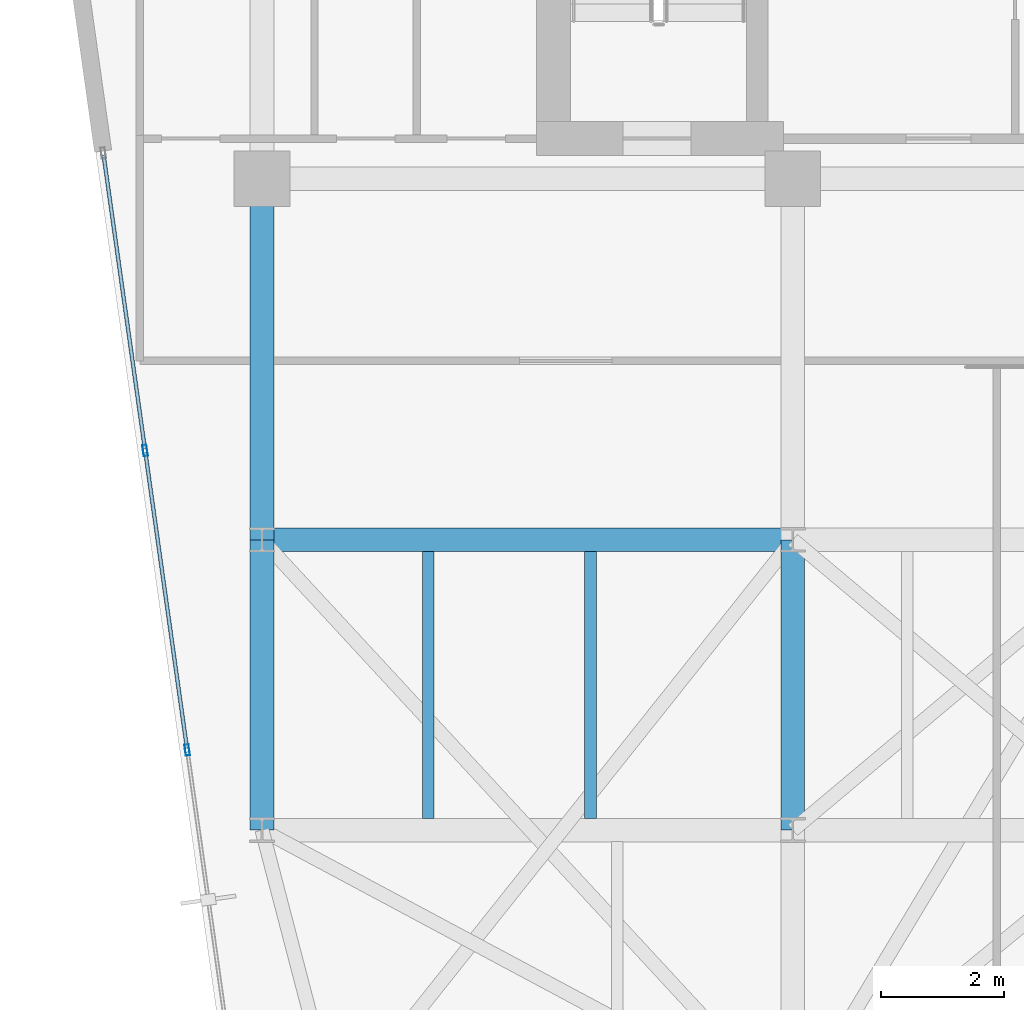
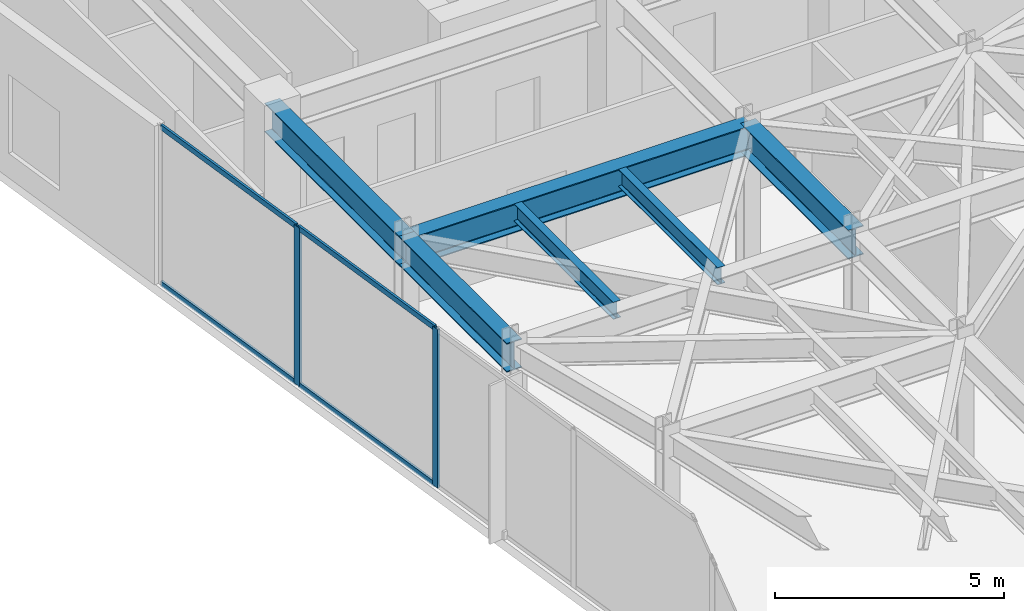
# One storey, part 8 of 25: 6 beams, 6 members, 1 element without a shape of its own.
"""IFC4 building model written with IfcOpenShell, lengths in metres."""

from ifc_helpers import new_model, si_unit, direction, frame, origin, origin_2d, place, context, subcontext, project, spatial, hollow_rectangle, i_section, extrude, material, layer, layer_set, material_profile, profile_set, type_object, element, aggregate, save


model = new_model("IFC4")

# Units and contexts
model_context = context("Model", 3, precision=1e-05, world=origin(), true_north=direction((0.0, 1.0)))
body_context = subcontext(model_context, "Body", "Model", "MODEL_VIEW")
ifc_project = project(units=[si_unit("LENGTHUNIT", "METRE"), si_unit("AREAUNIT", "SQUARE_METRE"), si_unit("VOLUMEUNIT", "CUBIC_METRE"), si_unit("PLANEANGLEUNIT", "RADIAN"), si_unit("MASSUNIT", "GRAM", prefix="KILO")], contexts=[model_context])

# Site, building, storey
site_placement = place(None, origin())
site = spatial("IfcSite", under=ifc_project, at=site_placement, CompositionType="ELEMENT")
building_placement = place(site_placement, origin())
building = spatial("IfcBuilding", under=site, at=building_placement, Name="Kravanh Interchange Tower", CompositionType="ELEMENT")
storey_placement = place(building_placement, frame((0.0, 0.0, 220.5)))
storey = spatial("IfcBuildingStorey", under=building, at=storey_placement, Name="L53", CompositionType="ELEMENT", Elevation=220.5)

# Curtain wall, members
ifc_material_1 = material(Name="Anodised Bronze Aluminium", Category="aluminium")
ifc_layer = layer(ifc_material_1, 0.179931640625)
ifc_layer_set = layer_set([ifc_layer], Name="Unitised Curtain Wall System CW-SKY Sky Observatory")
curtain_wall_type = type_object("IfcCurtainWallType", Name="Unitised Curtain Wall System CW-SKY Sky Observatory", PredefinedType="NOTDEFINED", material=ifc_layer_set)
curtain_wall_placement = place(storey_placement, origin())
curtain_wall = element("IfcCurtainWall", 1, at=curtain_wall_placement, inside=storey, type_object=curtain_wall_type, Name="L53 Unitised Curtain Wall CW-L53-01", PredefinedType="NOTDEFINED")
ifc_material_2 = material(Name="Anodised Bronze Aluminium", Category="aluminium")
ifc_material_profile_1 = material_profile(ifc_material_2, hollow_rectangle(XDim=0.070068359375, YDim=0.179931640625, WallThickness=0.00390625, at=origin_2d()), Name="ALU70X180X4")
ifc_profile_set_1 = profile_set([ifc_material_profile_1], Name="Anodised Bronze Aluminium")
member_type_1 = type_object("IfcMemberType", Name="Curtain Wall Mullion ALU70X180X4 Bronze", PredefinedType="MULLION", material=ifc_profile_set_1)
member_1_placement = place(storey_placement, frame((17.388671875, 28.09619140625, 0.0), z_axis=(0.0, 0.0, 1.0), x_axis=(-0.990268194035, -0.139172209446, 0.0)))
member_1 = element("IfcMember", 2, at=member_1_placement, type_object=member_type_1, Name="CW-SKY mullion 4", PredefinedType="MULLION", context=body_context, shape_type="SweptSolid", body=[
    extrude(hollow_rectangle(XDim=0.070068359375, YDim=0.179931640625, WallThickness=0.00390625, at=origin_2d()), origin(), (0.0, 0.0, 1.0), 4.219970703125),
])
member_2_placement = place(storey_placement, frame((16.706787109375, 32.9482421875, 0.0), z_axis=(0.0, 0.0, 1.0), x_axis=(-0.990268194035, -0.139172209446, 0.0)))
member_2 = element("IfcMember", 3, at=member_2_placement, type_object=member_type_1, Name="CW-SKY mullion 5", PredefinedType="MULLION", context=body_context, shape_type="SweptSolid", body=[
    extrude(hollow_rectangle(XDim=0.070068359375, YDim=0.179931640625, WallThickness=0.00390625, at=origin_2d()), origin(), (0.0, 0.0, 1.0), 4.219970703125),
])
ifc_material_3 = material(Name="Anodised Bronze Aluminium", Category="aluminium")
ifc_material_profile_2 = material_profile(ifc_material_3, hollow_rectangle(XDim=0.06005859375, YDim=0.139892578125, WallThickness=0.00390625, at=origin_2d()), Name="ALU60X140X4")
ifc_profile_set_2 = profile_set([ifc_material_profile_2], Name="Anodised Bronze Aluminium")
member_type_2 = type_object("IfcMemberType", Name="Curtain Wall Transom ALU60X140X4 Bronze", PredefinedType="USERDEFINED", material=ifc_profile_set_2)
member_3_placement = place(storey_placement, frame((17.3837890625, 28.130859375, 0.030029296875), z_axis=(-0.139163437068, 0.990269426865, 0.0), x_axis=(-0.990269426865, -0.139163437068, 0.0)))
member_3 = element("IfcMember", 4, at=member_3_placement, type_object=member_type_2, Name="CW-SKY transom 4.1", ObjectType="TRANSOM", PredefinedType="USERDEFINED", context=body_context, shape_type="SweptSolid", body=[
    extrude(hollow_rectangle(XDim=0.06005859375, YDim=0.139892578125, WallThickness=0.00390625, at=origin_2d()), origin(), (0.0, 0.0, 1.0), 4.82958984375),
])
member_4_placement = place(storey_placement, frame((17.3837890625, 28.130859375, 4.18994140625), z_axis=(-0.139163437068, 0.990269426865, 0.0), x_axis=(-0.990269426865, -0.139163437068, 0.0)))
member_4 = element("IfcMember", 5, at=member_4_placement, type_object=member_type_2, Name="CW-SKY transom 4.2", ObjectType="TRANSOM", PredefinedType="USERDEFINED", context=body_context, shape_type="SweptSolid", body=[
    extrude(hollow_rectangle(XDim=0.06005859375, YDim=0.139892578125, WallThickness=0.00390625, at=origin_2d()), origin(), (0.0, 0.0, 1.0), 4.82958984375),
])
member_5_placement = place(storey_placement, frame((16.701904296875, 32.98291015625, 0.030029296875), z_axis=(-0.13916822667, 0.990268753766, 0.0), x_axis=(-0.990268753766, -0.13916822667, 0.0)))
member_5 = element("IfcMember", 6, at=member_5_placement, type_object=member_type_2, Name="CW-SKY transom 5.1", ObjectType="TRANSOM", PredefinedType="USERDEFINED", context=body_context, shape_type="SweptSolid", body=[
    extrude(hollow_rectangle(XDim=0.06005859375, YDim=0.139892578125, WallThickness=0.00390625, at=origin_2d()), origin(), (0.0, 0.0, 1.0), 4.79443359375),
])
member_6_placement = place(storey_placement, frame((16.701904296875, 32.98291015625, 4.18994140625), z_axis=(-0.13916822667, 0.990268753766, 0.0), x_axis=(-0.990268753766, -0.13916822667, 0.0)))
member_6 = element("IfcMember", 7, at=member_6_placement, type_object=member_type_2, Name="CW-SKY transom 5.2", ObjectType="TRANSOM", PredefinedType="USERDEFINED", context=body_context, shape_type="SweptSolid", body=[
    extrude(hollow_rectangle(XDim=0.06005859375, YDim=0.139892578125, WallThickness=0.00390625, at=origin_2d()), origin(), (0.0, 0.0, 1.0), 4.79443359375),
])
aggregate(curtain_wall, [member_1, member_2, member_3, member_4, member_5, member_6])

# Beams
ifc_material_4 = material(Name="Structural Steel S355", Category="steel")
ifc_material_profile_3 = material_profile(ifc_material_4, i_section(OverallWidth=0.381103515625, OverallDepth=0.77294921875, WebThickness=0.0166015625, FlangeThickness=0.027099609375, FilletRadius=0.02490234375, at=origin_2d()), Name="W30X173")
ifc_profile_set_3 = profile_set([ifc_material_profile_3], Name="Structural Steel S355")
beam_type_1 = type_object("IfcBeamType", Name="Floor Beam W30X173 Structural Steel S355", PredefinedType="BEAM", material=ifc_profile_set_3)
beam_1_placement = place(storey_placement, frame((18.60009765625, 37.35009765625, 3.83349609375), z_axis=(0.0, -1.0, 0.0), x_axis=(1.0, 0.0, 0.0)))
element("IfcBeam", 8, at=beam_1_placement, inside=storey, type_object=beam_type_1, Name="L53 Primary Floor Girder 28", PredefinedType="BEAM", context=body_context, shape_type="SweptSolid", body=[
    extrude(i_section(OverallWidth=0.381103515625, OverallDepth=0.77294921875, WebThickness=0.0166015625, FlangeThickness=0.027099609375, FilletRadius=0.02490234375, at=origin_2d()), origin(), (0.0, 0.0, 1.0), 5.85009765625),
])
for number, where, z_axis, x_axis, name in (
    (9, (18.60009765625, 26.800048828125, 3.83349609375), (0.0, 1.0, 0.0), (-1.0, 0.0, 0.0), "L53 Primary Floor Girder 33"),
    (10, (27.199951171875, 26.800048828125, 3.83349609375), (0.0, 1.0, 0.0), (-1.0, 0.0, 0.0), "L53 Primary Floor Girder 38"),
):
    element("IfcBeam", number, at=place(storey_placement, frame(where, z_axis=z_axis, x_axis=x_axis)), inside=storey, type_object=beam_type_1, Name=name, PredefinedType="BEAM", context=body_context, shape_type="SweptSolid", body=[
        extrude(i_section(OverallWidth=0.381103515625, OverallDepth=0.77294921875, WebThickness=0.0166015625, FlangeThickness=0.027099609375, FilletRadius=0.02490234375, at=origin_2d()), origin(), (0.0, 0.0, 1.0), 4.699951171875),
    ])
beam_2_placement = place(storey_placement, frame((18.60009765625, 31.5, 3.83349609375), z_axis=(1.0, 0.0, 0.0), x_axis=(0.0, 1.0, 0.0)))
element("IfcBeam", 11, at=beam_2_placement, inside=storey, type_object=beam_type_1, Name="L53 Primary Floor Girder 61", PredefinedType="BEAM", context=body_context, shape_type="SweptSolid", body=[
    extrude(i_section(OverallWidth=0.381103515625, OverallDepth=0.77294921875, WebThickness=0.0166015625, FlangeThickness=0.027099609375, FilletRadius=0.02490234375, at=origin_2d()), origin(), (0.0, 0.0, 1.0), 8.599853515625),
])
ifc_material_5 = material(Name="Structural Steel S355", Category="steel")
ifc_material_profile_4 = material_profile(ifc_material_5, i_section(OverallWidth=0.18994140625, OverallDepth=0.45703125, WebThickness=0.009033203125, FlangeThickness=0.014404296875, FilletRadius=0.01806640625, at=origin_2d()), Name="W18X50")
ifc_profile_set_4 = profile_set([ifc_material_profile_4], Name="Structural Steel S355")
beam_type_2 = type_object("IfcBeamType", Name="Floor Joist W18X50 Structural Steel S355", PredefinedType="JOIST", material=ifc_profile_set_4)
for number, where, z_axis, x_axis, name in (
    (12, (21.2939453125, 26.985595703125, 3.991455078125), (0.0, 1.0, 0.0), (-1.0, 0.0, 0.0), "L53 Secondary Floor Joist 9"),
    (13, (23.922119140625, 26.985595703125, 3.991455078125), (0.0, 1.0, 0.0), (-1.0, 0.0, 0.0), "L53 Secondary Floor Joist 10"),
):
    element("IfcBeam", number, at=place(storey_placement, frame(where, z_axis=z_axis, x_axis=x_axis)), inside=storey, type_object=beam_type_2, Name=name, PredefinedType="JOIST", context=body_context, shape_type="SweptSolid", body=[
        extrude(i_section(OverallWidth=0.18994140625, OverallDepth=0.45703125, WebThickness=0.009033203125, FlangeThickness=0.014404296875, FilletRadius=0.01806640625, at=origin_2d()), origin(), (0.0, 0.0, 1.0), 4.328857421875),
    ])

save(model, "model.ifc")
